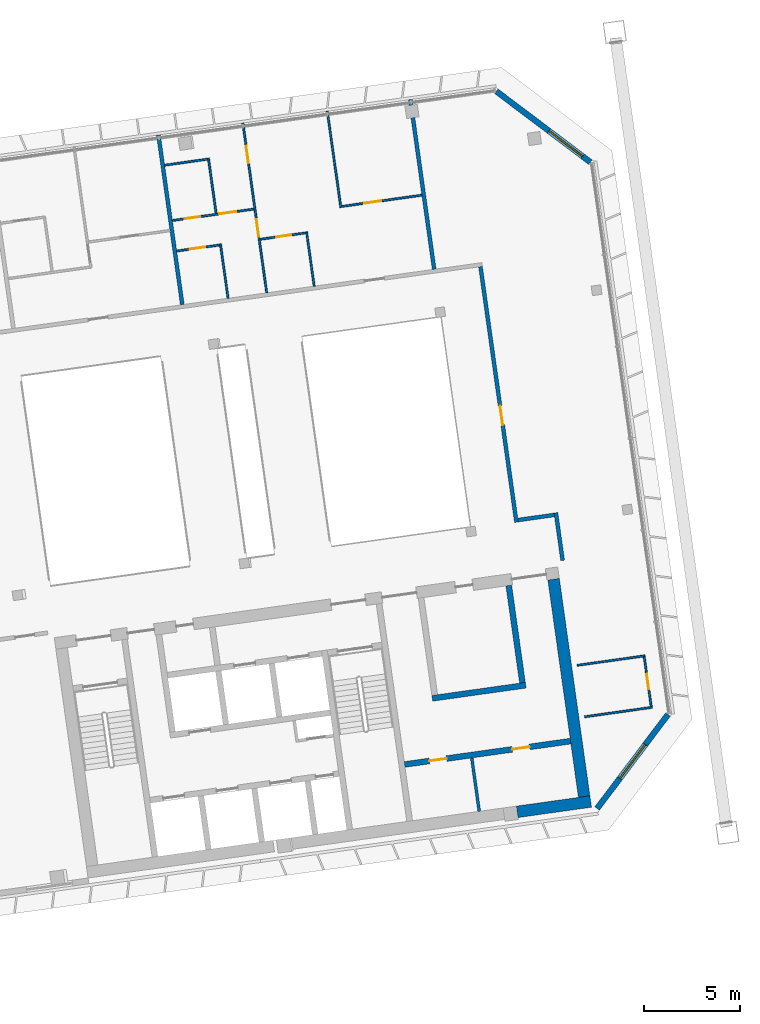
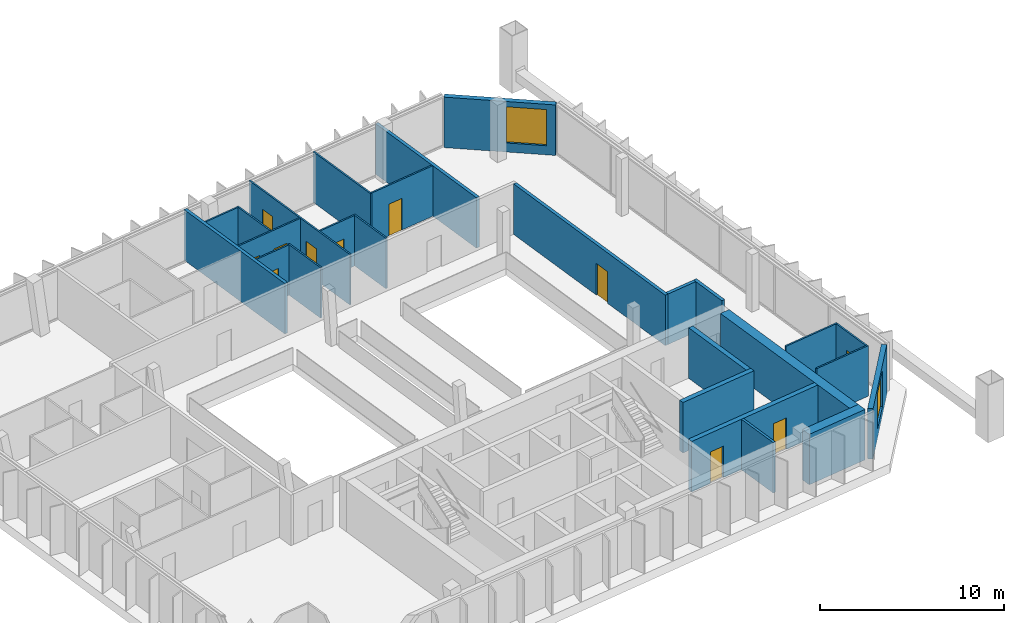
# One storey, part 21 of 26: 26 walls, 11 doors, 2 windows, 13 openings.
"""IFC4 building model written with IfcOpenShell, lengths in metres."""

from ifc_helpers import new_model, si_unit, direction, frame, frame_2d, origin, place, context, subcontext, project, spatial, rectangle, extrude, material, layer, layer_set, type_object, element, fill, save


model = new_model("IFC4")

# Units and contexts
model_context = context("Model", 3, precision=1e-05, world=origin(), true_north=direction((0.0, 1.0)))
body_context = subcontext(model_context, "Body", "Model", "MODEL_VIEW")
ifc_project = project(units=[si_unit("LENGTHUNIT", "METRE"), si_unit("AREAUNIT", "SQUARE_METRE"), si_unit("VOLUMEUNIT", "CUBIC_METRE"), si_unit("PLANEANGLEUNIT", "RADIAN"), si_unit("MASSUNIT", "GRAM", prefix="KILO")], contexts=[model_context])

# Site, building, storey
site_placement = place(None, origin())
site = spatial("IfcSite", under=ifc_project, at=site_placement, CompositionType="ELEMENT")
building_placement = place(site_placement, origin())
building = spatial("IfcBuilding", under=site, at=building_placement, Name="Mirante Cascada Hotel Towers", CompositionType="ELEMENT")
storey_placement = place(building_placement, frame((0.0, 0.0, 235.6)))
storey = spatial("IfcBuildingStorey", under=building, at=storey_placement, Name="L56", CompositionType="ELEMENT", Elevation=235.6)

# Walls
ifc_material_1 = material(Name="Fire-rated plasterboard on metal studs")
ifc_layer_1 = layer(ifc_material_1, 0.2)
ifc_layer_set_1 = layer_set([ifc_layer_1], Name="Compartment wall 200 EI 120")
wall_type_1 = type_object("IfcWallType", Name="Compartment wall 200 EI 120", PredefinedType="PARTITIONING", material=ifc_layer_set_1)
wall_1_placement = place(storey_placement, frame((61.5676, -0.9969, 0.0), z_axis=(0.0, 0.0, 1.0), x_axis=(-0.9902701, -0.1391589, 0.0)))
element("IfcWall", 1, at=wall_1_placement, inside=storey, type_object=wall_type_1, Name="Wall 2-L56-06", PredefinedType="PARTITIONING", context=body_context, shape_type="SweptSolid", body=[
    extrude(rectangle(XDim=1.9, YDim=0.2, at=frame_2d((0.95, 0.0))), origin(), (0.0, 0.0, 1.0), 3.35),
])
for number, where, z_axis, x_axis, name in (
    (2, (41.0122, 18.7344, 0.0), (0.0, 0.0, 1.0), (0.1391684, -0.9902687, 0.0), "Wall 2-L56-36"),
    (3, (54.0929, 20.5728, 0.0), (0.0, 0.0, 1.0), (0.1391794, -0.9902672, 0.0), "Wall 2-L56-42"),
):
    element("IfcWall", number, at=place(storey_placement, frame(where, z_axis=z_axis, x_axis=x_axis)), inside=storey, type_object=wall_type_1, Name=name, PredefinedType="PARTITIONING", context=body_context, shape_type="SweptSolid", body=[
        extrude(rectangle(XDim=8.9, YDim=0.2, at=frame_2d((4.45, 0.0))), origin(), (0.0, 0.0, 1.0), 3.35),
    ])

# Wall, opening, door
wall_2_placement = place(storey_placement, frame((59.601, -1.3742, 0.0), z_axis=(0.0, 0.0, 1.0), x_axis=(-0.1391726, 0.9902681, 0.0)))
wall_2 = element("IfcWall", 4, at=wall_2_placement, inside=storey, type_object=wall_type_1, Name="Wall 2-L56-43", PredefinedType="PARTITIONING", context=body_context, shape_type="SweptSolid", body=[
    extrude(rectangle(XDim=13.3999, YDim=0.2, at=frame_2d((6.7, 0.0))), origin(), (0.0, 0.0, 1.0), 3.35),
])
opening_1_placement = place(wall_2_placement, frame((5.1, 0.0, 0.0)))
opening_1 = element("IfcOpeningElement", 5, at=opening_1_placement, cuts=wall_2, Name="Opening D2-L56-26", PredefinedType="OPENING", context=body_context, shape_type="SweptSolid", body=[
    extrude(rectangle(XDim=1.0, YDim=2.1, at=frame_2d((0.5, 1.05))), frame((0.0, 0.1, 0.0), z_axis=(0.0, -1.0, 0.0), x_axis=(1.0, 0.0, 0.0)), (0.0, 0.0, 1.0), 0.2),
])
ifc_material_2 = material(Name="Fire-rated timber door leaf", Category="wood")
door_type_1 = type_object("IfcDoorType", Name="Entrance door DG1 1000x2100 EI 60", OperationType="SINGLE_SWING_LEFT", PredefinedType="DOOR", material=ifc_material_2)
door_1_placement = place(opening_1_placement, frame((1.0, 0.0, 0.0), z_axis=(0.0, 0.0, 1.0), x_axis=(-1.0, 0.0, 0.0)))
door_1 = element("IfcDoor", 6, at=door_1_placement, inside=storey, type_object=door_type_1, Name="Door D2-L56-26", OperationType="SINGLE_SWING_RIGHT", OverallHeight=2.1, OverallWidth=1.0, PredefinedType="DOOR", context=body_context, shape_type="SweptSolid", body=[
    extrude(rectangle(XDim=1.0, YDim=2.1, at=frame_2d((0.5, 1.05))), frame((0.0, 0.025, 0.0), z_axis=(0.0, -1.0, 0.0), x_axis=(1.0, 0.0, 0.0)), (0.0, 0.0, 1.0), 0.05),
])
fill(opening_1, door_1)

# Walls
wall_3_placement = place(storey_placement, frame((61.6527, -0.8839, 0.0), z_axis=(0.0, 0.0, 1.0), x_axis=(0.1391586, -0.9902701, 0.0)))
element("IfcWall", 7, at=wall_3_placement, inside=storey, type_object=wall_type_1, Name="Wall 2-L56-44", PredefinedType="PARTITIONING", context=body_context, shape_type="SweptSolid", body=[
    extrude(rectangle(XDim=2.5, YDim=0.2, at=frame_2d((1.25, 0.0))), origin(), (0.0, 0.0, 1.0), 3.35),
])
ifc_material_3 = material(Name="Masonry block", Category="masonry")
ifc_layer_2 = layer(ifc_material_3, 0.15)
ifc_layer_set_2 = layer_set([ifc_layer_2], Name="Core room partition 150 block EI 30")
wall_type_2 = type_object("IfcWallType", Name="Core room partition 150 block EI 30", PredefinedType="PARTITIONING", material=ifc_layer_set_2)
wall_4_placement = place(storey_placement, frame((57.6718, -16.3889, 0.0), z_axis=(0.0, 0.0, 1.0), x_axis=(-0.139141, 0.9902726, 0.0)))
element("IfcWall", 8, at=wall_4_placement, inside=storey, type_object=wall_type_2, Name="Core wall partition T2 L56 5", PredefinedType="PARTITIONING", context=body_context, shape_type="SweptSolid", body=[
    extrude(rectangle(XDim=2.8, YDim=0.15, at=frame_2d((1.4, 0.0))), origin(), (0.0, 0.0, 1.0), 3.35),
])

# Wall, openings, doors
ifc_material_4 = material(Name="Masonry block", Category="masonry")
ifc_layer_3 = layer(ifc_material_4, 0.3)
ifc_layer_set_3 = layer_set([ifc_layer_3], Name="Core wall 300 block EI 120")
wall_type_3 = type_object("IfcWallType", Name="Core wall 300 block EI 120", PredefinedType="PARTITIONING", material=ifc_layer_set_3)
wall_5_placement = place(storey_placement, frame((53.7953, -13.9547, 0.0), z_axis=(0.0, 0.0, 1.0), x_axis=(0.9902683, 0.1391714, 0.0)))
wall_5 = element("IfcWall", 9, at=wall_5_placement, inside=storey, type_object=wall_type_3, Name="Core wall partition T2 L56 4", PredefinedType="PARTITIONING", context=body_context, shape_type="SweptSolid", body=[
    extrude(rectangle(XDim=8.7001, YDim=0.3, at=frame_2d((4.3501, 0.0))), origin(), (0.0, 0.0, 1.0), 3.35),
])
opening_2_placement = place(wall_5_placement, frame((1.3, 0.0, 0.0)))
opening_2 = element("IfcOpeningElement", 10, at=opening_2_placement, cuts=wall_5, Name="Opening D2-56-C17", PredefinedType="OPENING", context=body_context, shape_type="SweptSolid", body=[
    extrude(rectangle(XDim=0.9, YDim=2.1, at=frame_2d((0.45, 1.05))), frame((0.0, 0.15, 0.0), z_axis=(0.0, -1.0, 0.0), x_axis=(1.0, 0.0, 0.0)), (0.0, 0.0, 1.0), 0.3),
])
opening_3_placement = place(wall_5_placement, frame((5.65, 0.0, 0.0)))
opening_3 = element("IfcOpeningElement", 11, at=opening_3_placement, cuts=wall_5, Name="Opening D2-56-C18", PredefinedType="OPENING", context=body_context, shape_type="SweptSolid", body=[
    extrude(rectangle(XDim=0.9, YDim=2.1, at=frame_2d((0.45, 1.05))), frame((0.0, 0.15, 0.0), z_axis=(0.0, -1.0, 0.0), x_axis=(1.0, 0.0, 0.0)), (0.0, 0.0, 1.0), 0.3),
])
ifc_material_5 = material(Name="Hollow metal fire door leaf")
door_type_2 = type_object("IfcDoorType", Name="Fire door 900x2100 FD60", OperationType="NOTDEFINED", PredefinedType="DOOR", material=ifc_material_5)
door_2_placement = place(opening_2_placement, frame((0.9, 0.0, 0.0), z_axis=(0.0, 0.0, 1.0), x_axis=(-1.0, 0.0, 0.0)))
door_2 = element("IfcDoor", 12, at=door_2_placement, inside=storey, type_object=door_type_2, Name="Room door T2 L56 17", OperationType="SINGLE_SWING_LEFT", OverallHeight=2.1, OverallWidth=0.9, PredefinedType="DOOR", context=body_context, shape_type="SweptSolid", body=[
    extrude(rectangle(XDim=0.9, YDim=2.1, at=frame_2d((0.45, 1.05))), frame((0.0, 0.025, 0.0), z_axis=(0.0, -1.0, 0.0), x_axis=(1.0, 0.0, 0.0)), (0.0, 0.0, 1.0), 0.05),
])
fill(opening_2, door_2)
door_3_placement = place(opening_3_placement, frame((0.9, 0.0, 0.0), z_axis=(0.0, 0.0, 1.0), x_axis=(-1.0, 0.0, 0.0)))
door_3 = element("IfcDoor", 13, at=door_3_placement, inside=storey, type_object=door_type_2, Name="Room door T2 L56 18", OperationType="SINGLE_SWING_RIGHT", OverallHeight=2.1, OverallWidth=0.9, PredefinedType="DOOR", context=body_context, shape_type="SweptSolid", body=[
    extrude(rectangle(XDim=0.9, YDim=2.1, at=frame_2d((0.45, 1.05))), frame((0.0, 0.025, 0.0), z_axis=(0.0, -1.0, 0.0), x_axis=(1.0, 0.0, 0.0)), (0.0, 0.0, 1.0), 0.05),
])
fill(opening_3, door_3)

# Walls
ifc_material_6 = material(Name="Plasterboard on metal studs")
ifc_layer_4 = layer(ifc_material_6, 0.1)
ifc_layer_set_4 = layer_set([ifc_layer_4], Name="Partition 100")
wall_type_4 = type_object("IfcWallType", Name="Partition 100", PredefinedType="PARTITIONING", material=ifc_layer_set_4)
wall_6_placement = place(storey_placement, frame((66.6573, -10.9857, 0.0), z_axis=(0.0, 0.0, 1.0), x_axis=(-0.9902664, -0.1391849, 0.0)))
element("IfcWall", 14, at=wall_6_placement, inside=storey, type_object=wall_type_4, Name="Wall 2-L56-02", PredefinedType="PARTITIONING", context=body_context, shape_type="SweptSolid", body=[
    extrude(rectangle(XDim=3.55, YDim=0.1, at=frame_2d((1.775, 0.0))), origin(), (0.0, 0.0, 1.0), 3.35),
])
wall_7_placement = place(storey_placement, frame((62.7661, -8.8061, 0.0), z_axis=(0.0, 0.0, 1.0), x_axis=(0.990267, 0.139181, 0.0)))
element("IfcWall", 15, at=wall_7_placement, inside=storey, type_object=wall_type_4, Name="Wall 2-L56-03", PredefinedType="PARTITIONING", context=body_context, shape_type="SweptSolid", body=[
    extrude(rectangle(XDim=3.5501, YDim=0.1, at=frame_2d((1.775, 0.0))), origin(), (0.0, 0.0, 1.0), 3.35),
])

# Wall, opening, door
wall_8_placement = place(storey_placement, frame((44.1883, 13.0208, 0.0), z_axis=(0.0, 0.0, 1.0), x_axis=(-0.9902705, -0.1391561, 0.0)))
wall_8 = element("IfcWall", 16, at=wall_8_placement, inside=storey, type_object=wall_type_4, Name="Wall 2-L56-16", PredefinedType="PARTITIONING", context=body_context, shape_type="SweptSolid", body=[
    extrude(rectangle(XDim=2.25, YDim=0.1, at=frame_2d((1.125, 0.0))), origin(), (0.0, 0.0, 1.0), 3.35),
])
opening_4_placement = place(wall_8_placement, frame((0.75, 0.0, 0.0)))
opening_4 = element("IfcOpeningElement", 17, at=opening_4_placement, cuts=wall_8, Name="Opening D2-L56-09", PredefinedType="OPENING", context=body_context, shape_type="SweptSolid", body=[
    extrude(rectangle(XDim=0.8, YDim=2.1, at=frame_2d((0.4, 1.05))), frame((0.0, 0.05, 0.0), z_axis=(0.0, -1.0, 0.0), x_axis=(1.0, 0.0, 0.0)), (0.0, 0.0, 1.0), 0.1),
])
ifc_material_7 = material(Name="Timber door leaf", Category="wood")
door_type_3 = type_object("IfcDoorType", Name="Bathroom door DG4 800x2100", OperationType="SINGLE_SWING_LEFT", PredefinedType="DOOR", material=ifc_material_7)
door_4_placement = place(opening_4_placement, origin())
door_4 = element("IfcDoor", 18, at=door_4_placement, inside=storey, type_object=door_type_3, Name="Door D2-L56-09", OperationType="SINGLE_SWING_LEFT", OverallHeight=2.1, OverallWidth=0.8, PredefinedType="DOOR", context=body_context, shape_type="SweptSolid", body=[
    extrude(rectangle(XDim=0.8, YDim=2.1, at=frame_2d((0.4, 1.05))), frame((0.0, 0.025, 0.0), z_axis=(0.0, -1.0, 0.0), x_axis=(1.0, 0.0, 0.0)), (0.0, 0.0, 1.0), 0.05),
])
fill(opening_4, door_4)

wall_9_placement = place(storey_placement, frame((46.2949, 13.3169, 0.0), z_axis=(0.0, 0.0, 1.0), x_axis=(0.9902693, 0.1391644, 0.0)))
wall_9 = element("IfcWall", 19, at=wall_9_placement, inside=storey, type_object=wall_type_4, Name="Wall 2-L56-17", PredefinedType="PARTITIONING", context=body_context, shape_type="SweptSolid", body=[
    extrude(rectangle(XDim=2.3885, YDim=0.1, at=frame_2d((1.1942, 0.0))), origin(), (0.0, 0.0, 1.0), 3.35),
])
opening_5_placement = place(wall_9_placement, frame((0.8386, 0.0, 0.0)))
opening_5 = element("IfcOpeningElement", 20, at=opening_5_placement, cuts=wall_9, Name="Opening D2-L56-10", PredefinedType="OPENING", context=body_context, shape_type="SweptSolid", body=[
    extrude(rectangle(XDim=0.8, YDim=2.1, at=frame_2d((0.4, 1.05))), frame((0.0, 0.05, 0.0), z_axis=(0.0, -1.0, 0.0), x_axis=(1.0, 0.0, 0.0)), (0.0, 0.0, 1.0), 0.1),
])
door_5_placement = place(opening_5_placement, origin())
door_5 = element("IfcDoor", 21, at=door_5_placement, inside=storey, type_object=door_type_3, Name="Door D2-L56-10", OperationType="SINGLE_SWING_LEFT", OverallHeight=2.1, OverallWidth=0.8, PredefinedType="DOOR", context=body_context, shape_type="SweptSolid", body=[
    extrude(rectangle(XDim=0.8, YDim=2.1, at=frame_2d((0.4, 1.05))), frame((0.0, 0.025, 0.0), z_axis=(0.0, -1.0, 0.0), x_axis=(1.0, 0.0, 0.0)), (0.0, 0.0, 1.0), 0.05),
])
fill(opening_5, door_5)

wall_10_placement = place(storey_placement, frame((50.5261, 15.0223, 0.0), z_axis=(0.0, 0.0, 1.0), x_axis=(0.9902671, 0.1391801, 0.0)))
wall_10 = element("IfcWall", 22, at=wall_10_placement, inside=storey, type_object=wall_type_4, Name="Wall 2-L56-19", PredefinedType="PARTITIONING", context=body_context, shape_type="SweptSolid", body=[
    extrude(rectangle(XDim=4.2046, YDim=0.1, at=frame_2d((2.1023, 0.0))), origin(), (0.0, 0.0, 1.0), 3.35),
])
opening_6_placement = place(wall_10_placement, frame((1.1773, 0.0, 0.0)))
opening_6 = element("IfcOpeningElement", 23, at=opening_6_placement, cuts=wall_10, Name="Opening D2-L56-12", PredefinedType="OPENING", context=body_context, shape_type="SweptSolid", body=[
    extrude(rectangle(XDim=0.9, YDim=2.1, at=frame_2d((0.45, 1.05))), frame((0.0, 0.05, 0.0), z_axis=(0.0, -1.0, 0.0), x_axis=(1.0, 0.0, 0.0)), (0.0, 0.0, 1.0), 0.1),
])
ifc_material_8 = material(Name="Timber door leaf", Category="wood")
door_type_4 = type_object("IfcDoorType", Name="Room door DG3 900x2100", OperationType="SINGLE_SWING_LEFT", PredefinedType="DOOR", material=ifc_material_8)
door_6_placement = place(opening_6_placement, origin())
door_6 = element("IfcDoor", 24, at=door_6_placement, inside=storey, type_object=door_type_4, Name="Door D2-L56-12", OperationType="SINGLE_SWING_LEFT", OverallHeight=2.1, OverallWidth=0.9, PredefinedType="DOOR", context=body_context, shape_type="SweptSolid", body=[
    extrude(rectangle(XDim=0.9, YDim=2.1, at=frame_2d((0.45, 1.05))), frame((0.0, 0.025, 0.0), z_axis=(0.0, -1.0, 0.0), x_axis=(1.0, 0.0, 0.0)), (0.0, 0.0, 1.0), 0.05),
])
fill(opening_6, door_6)

# Wall, openings, doors
wall_11_placement = place(storey_placement, frame((41.7375, 14.2921, 0.0), z_axis=(0.0, 0.0, 1.0), x_axis=(0.9902677, 0.1391757, 0.0)))
wall_11 = element("IfcWall", 25, at=wall_11_placement, inside=storey, type_object=wall_type_4, Name="Wall 2-L56-21", PredefinedType="PARTITIONING", context=body_context, shape_type="SweptSolid", body=[
    extrude(rectangle(XDim=4.2773, YDim=0.1, at=frame_2d((2.1386, 0.0))), origin(), (0.0, 0.0, 1.0), 3.35),
])
opening_7_placement = place(wall_11_placement, frame((0.65, 0.0, 0.0)))
opening_7 = element("IfcOpeningElement", 26, at=opening_7_placement, cuts=wall_11, Name="Opening D2-L56-13", PredefinedType="OPENING", context=body_context, shape_type="SweptSolid", body=[
    extrude(rectangle(XDim=0.8, YDim=2.1, at=frame_2d((0.4, 1.05))), frame((0.0, 0.05, 0.0), z_axis=(0.0, -1.0, 0.0), x_axis=(1.0, 0.0, 0.0)), (0.0, 0.0, 1.0), 0.1),
])
opening_8_placement = place(wall_11_placement, frame((2.45, 0.0, 0.0)))
opening_8 = element("IfcOpeningElement", 27, at=opening_8_placement, cuts=wall_11, Name="Opening D2-L56-14", PredefinedType="OPENING", context=body_context, shape_type="SweptSolid", body=[
    extrude(rectangle(XDim=0.9, YDim=2.1, at=frame_2d((0.45, 1.05))), frame((0.0, 0.05, 0.0), z_axis=(0.0, -1.0, 0.0), x_axis=(1.0, 0.0, 0.0)), (0.0, 0.0, 1.0), 0.1),
])
door_7_placement = place(opening_7_placement, frame((0.8, 0.0, 0.0), z_axis=(0.0, 0.0, 1.0), x_axis=(-1.0, 0.0, 0.0)))
door_7 = element("IfcDoor", 28, at=door_7_placement, inside=storey, type_object=door_type_3, Name="Door D2-L56-13", OperationType="SINGLE_SWING_RIGHT", OverallHeight=2.1, OverallWidth=0.8, PredefinedType="DOOR", context=body_context, shape_type="SweptSolid", body=[
    extrude(rectangle(XDim=0.8, YDim=2.1, at=frame_2d((0.4, 1.05))), frame((0.0, 0.025, 0.0), z_axis=(0.0, -1.0, 0.0), x_axis=(1.0, 0.0, 0.0)), (0.0, 0.0, 1.0), 0.05),
])
fill(opening_7, door_7)
door_8_placement = place(opening_8_placement, origin())
door_8 = element("IfcDoor", 29, at=door_8_placement, inside=storey, type_object=door_type_4, Name="Door D2-L56-14", OperationType="SINGLE_SWING_LEFT", OverallHeight=2.1, OverallWidth=0.9, PredefinedType="DOOR", context=body_context, shape_type="SweptSolid", body=[
    extrude(rectangle(XDim=0.9, YDim=2.1, at=frame_2d((0.45, 1.05))), frame((0.0, 0.025, 0.0), z_axis=(0.0, -1.0, 0.0), x_axis=(1.0, 0.0, 0.0)), (0.0, 0.0, 1.0), 0.05),
])
fill(opening_8, door_8)

# Walls
wall_12_placement = place(storey_placement, frame((41.3339, 17.1639, 0.0), z_axis=(0.0, 0.0, 1.0), x_axis=(0.9902705, 0.1391561, 0.0)))
element("IfcWall", 30, at=wall_12_placement, inside=storey, type_object=wall_type_4, Name="Wall 2-L56-23", PredefinedType="PARTITIONING", context=body_context, shape_type="SweptSolid", body=[
    extrude(rectangle(XDim=2.25, YDim=0.1, at=frame_2d((1.125, 0.0))), origin(), (0.0, 0.0, 1.0), 3.35),
])
wall_13_placement = place(storey_placement, frame((44.6275, 10.255, 0.0), z_axis=(0.0, 0.0, 1.0), x_axis=(-0.1391909, 0.9902656, 0.0)))
element("IfcWall", 31, at=wall_13_placement, inside=storey, type_object=wall_type_4, Name="Wall 2-L56-37", PredefinedType="PARTITIONING", context=body_context, shape_type="SweptSolid", body=[
    extrude(rectangle(XDim=2.85, YDim=0.1, at=frame_2d((1.425, 0.0))), origin(), (0.0, 0.0, 1.0), 3.35),
])
wall_14_placement = place(storey_placement, frame((43.6046, 17.5335, 0.0), z_axis=(0.0, 0.0, 1.0), x_axis=(0.1391714, -0.9902683, 0.0)))
element("IfcWall", 32, at=wall_14_placement, inside=storey, type_object=wall_type_4, Name="Wall 2-L56-38", PredefinedType="PARTITIONING", context=body_context, shape_type="SweptSolid", body=[
    extrude(rectangle(XDim=2.9, YDim=0.1, at=frame_2d((1.45, 0.0))), origin(), (0.0, 0.0, 1.0), 3.35),
])

# Wall, openings, doors
wall_15_placement = place(storey_placement, frame((46.6351, 10.5372, 0.0), z_axis=(0.0, 0.0, 1.0), x_axis=(-0.139181, 0.990267, 0.0)))
wall_15 = element("IfcWall", 33, at=wall_15_placement, inside=storey, type_object=wall_type_4, Name="Wall 2-L56-39", PredefinedType="PARTITIONING", context=body_context, shape_type="SweptSolid", body=[
    extrude(rectangle(XDim=8.8999, YDim=0.1, at=frame_2d((4.45, 0.0))), origin(), (0.0, 0.0, 1.0), 3.35),
])
opening_9_placement = place(wall_15_placement, frame((2.95, 0.0, 0.0)))
opening_9 = element("IfcOpeningElement", 34, at=opening_9_placement, cuts=wall_15, Name="Opening D2-L56-24", PredefinedType="OPENING", context=body_context, shape_type="SweptSolid", body=[
    extrude(rectangle(XDim=0.9, YDim=2.1, at=frame_2d((0.45, 1.05))), frame((0.0, 0.05, 0.0), z_axis=(0.0, -1.0, 0.0), x_axis=(1.0, 0.0, 0.0)), (0.0, 0.0, 1.0), 0.1),
])
opening_10_placement = place(wall_15_placement, frame((6.8, 0.0, 0.0)))
opening_10 = element("IfcOpeningElement", 35, at=opening_10_placement, cuts=wall_15, Name="Opening D2-L56-25", PredefinedType="OPENING", context=body_context, shape_type="SweptSolid", body=[
    extrude(rectangle(XDim=0.9, YDim=2.1, at=frame_2d((0.45, 1.05))), frame((0.0, 0.05, 0.0), z_axis=(0.0, -1.0, 0.0), x_axis=(1.0, 0.0, 0.0)), (0.0, 0.0, 1.0), 0.1),
])
door_9_placement = place(opening_9_placement, frame((0.9, 0.0, 0.0), z_axis=(0.0, 0.0, 1.0), x_axis=(-1.0, 0.0, 0.0)))
door_9 = element("IfcDoor", 36, at=door_9_placement, inside=storey, type_object=door_type_4, Name="Door D2-L56-24", OperationType="SINGLE_SWING_RIGHT", OverallHeight=2.1, OverallWidth=0.9, PredefinedType="DOOR", context=body_context, shape_type="SweptSolid", body=[
    extrude(rectangle(XDim=0.9, YDim=2.1, at=frame_2d((0.45, 1.05))), frame((0.0, 0.025, 0.0), z_axis=(0.0, -1.0, 0.0), x_axis=(1.0, 0.0, 0.0)), (0.0, 0.0, 1.0), 0.05),
])
fill(opening_9, door_9)
door_10_placement = place(opening_10_placement, frame((0.9, 0.0, 0.0), z_axis=(0.0, 0.0, 1.0), x_axis=(-1.0, 0.0, 0.0)))
door_10 = element("IfcDoor", 37, at=door_10_placement, inside=storey, type_object=door_type_4, Name="Door D2-L56-25", OperationType="SINGLE_SWING_RIGHT", OverallHeight=2.1, OverallWidth=0.9, PredefinedType="DOOR", context=body_context, shape_type="SweptSolid", body=[
    extrude(rectangle(XDim=0.9, YDim=2.1, at=frame_2d((0.45, 1.05))), frame((0.0, 0.025, 0.0), z_axis=(0.0, -1.0, 0.0), x_axis=(1.0, 0.0, 0.0)), (0.0, 0.0, 1.0), 0.05),
])
fill(opening_10, door_10)

# Walls
wall_16_placement = place(storey_placement, frame((48.7028, 13.7058, 0.0), z_axis=(0.0, 0.0, 1.0), x_axis=(0.1391564, -0.9902704, 0.0)))
element("IfcWall", 38, at=wall_16_placement, inside=storey, type_object=wall_type_4, Name="Wall 2-L56-40", PredefinedType="PARTITIONING", context=body_context, shape_type="SweptSolid", body=[
    extrude(rectangle(XDim=2.85, YDim=0.1, at=frame_2d((1.425, 0.0))), origin(), (0.0, 0.0, 1.0), 3.35),
])
wall_17_placement = place(storey_placement, frame((50.4836, 14.9659, 0.0), z_axis=(0.0, 0.0, 1.0), x_axis=(-0.1391893, 0.9902658, 0.0)))
element("IfcWall", 39, at=wall_17_placement, inside=storey, type_object=wall_type_4, Name="Wall 2-L56-41", PredefinedType="PARTITIONING", context=body_context, shape_type="SweptSolid", body=[
    extrude(rectangle(XDim=5.05, YDim=0.1, at=frame_2d((2.525, 0.0))), origin(), (0.0, 0.0, 1.0), 3.35),
])

# Wall, opening, door
wall_18_placement = place(storey_placement, frame((66.6008, -10.9432, 0.0), z_axis=(0.0, 0.0, 1.0), x_axis=(-0.1391541, 0.9902707, 0.0)))
wall_18 = element("IfcWall", 40, at=wall_18_placement, inside=storey, type_object=wall_type_4, Name="Wall 2-L56-45", PredefinedType="PARTITIONING", context=body_context, shape_type="SweptSolid", body=[
    extrude(rectangle(XDim=2.6, YDim=0.1, at=frame_2d((1.3, 0.0))), origin(), (0.0, 0.0, 1.0), 3.35),
])
opening_11_placement = place(wall_18_placement, frame((0.9, 0.0, 0.0)))
opening_11 = element("IfcOpeningElement", 41, at=opening_11_placement, cuts=wall_18, Name="Opening D2-L56-27", PredefinedType="OPENING", context=body_context, shape_type="SweptSolid", body=[
    extrude(rectangle(XDim=0.8, YDim=2.1, at=frame_2d((0.4, 1.05))), frame((0.0, 0.05, 0.0), z_axis=(0.0, -1.0, 0.0), x_axis=(1.0, 0.0, 0.0)), (0.0, 0.0, 1.0), 0.1),
])
door_11_placement = place(opening_11_placement, origin())
door_11 = element("IfcDoor", 42, at=door_11_placement, inside=storey, type_object=door_type_3, Name="Door D2-L56-27", OperationType="SINGLE_SWING_LEFT", OverallHeight=2.1, OverallWidth=0.8, PredefinedType="DOOR", context=body_context, shape_type="SweptSolid", body=[
    extrude(rectangle(XDim=0.8, YDim=2.1, at=frame_2d((0.4, 1.05))), frame((0.0, 0.025, 0.0), z_axis=(0.0, -1.0, 0.0), x_axis=(1.0, 0.0, 0.0)), (0.0, 0.0, 1.0), 0.05),
])
fill(opening_11, door_11)

# Wall, opening, window
ifc_material_9 = material(Name="Precast concrete C40/50", Category="concrete")
ifc_layer_5 = layer(ifc_material_9, 0.3)
ifc_layer_set_5 = layer_set([ifc_layer_5], Name="Precast concrete C40/50 cladding wall 300")
wall_type_5 = type_object("IfcWallType", Name="Precast concrete C40/50 cladding wall 300", PredefinedType="STANDARD", material=ifc_layer_set_5)
wall_19_placement = place(storey_placement, frame((63.7926, -16.2417, 0.0), z_axis=(0.0, 0.0, 1.0), x_axis=(0.6018245, 0.7986283, 0.0)))
wall_19 = element("IfcWall", 43, at=wall_19_placement, inside=storey, type_object=wall_type_5, Name="Corner cladding wall T2 L56 rear outer", PredefinedType="STANDARD", context=body_context, shape_type="SweptSolid", body=[
    extrude(rectangle(XDim=6.1157, YDim=0.3, at=frame_2d((3.0578, 0.0))), origin(), (0.0, 0.0, 1.0), 3.35),
])
opening_12_placement = place(wall_19_placement, frame((1.9578, 0.0, 0.6)))
opening_12 = element("IfcOpeningElement", 44, at=opening_12_placement, cuts=wall_19, Name="Opening W2-56-03", PredefinedType="OPENING", context=body_context, shape_type="SweptSolid", body=[
    extrude(rectangle(XDim=2.2, YDim=2.4, at=frame_2d((1.1, 1.2))), frame((0.0, 0.15, 0.0), z_axis=(0.0, -1.0, 0.0), x_axis=(1.0, 0.0, 0.0)), (0.0, 0.0, 1.0), 0.3),
])
ifc_material_10 = material(Name="Aluminium frame with clear double glazing", Category="aluminium")
window_type = type_object("IfcWindowType", Name="Corner suite window 2200x2400", PartitioningType="DOUBLE_PANEL_VERTICAL", PredefinedType="WINDOW", material=ifc_material_10)
window_1_placement = place(opening_12_placement, origin())
window_1 = element("IfcWindow", 45, at=window_1_placement, inside=storey, type_object=window_type, Name="Window W2-56-03", OverallHeight=2.4, OverallWidth=2.2, PartitioningType="SINGLE_PANEL", PredefinedType="WINDOW", context=body_context, shape_type="SweptSolid", body=[
    extrude(rectangle(XDim=2.2, YDim=2.4, at=frame_2d((1.1, 1.2))), frame((0.0, 0.03, 0.0), z_axis=(0.0, -1.0, 0.0), x_axis=(1.0, 0.0, 0.0)), (0.0, 0.0, 1.0), 0.06),
])
fill(opening_12, window_1)

wall_20_placement = place(storey_placement, frame((63.4422, 17.324, 0.0), z_axis=(0.0, 0.0, 1.0), x_axis=(-0.7986362, 0.6018141, 0.0)))
wall_20 = element("IfcWall", 46, at=wall_20_placement, inside=storey, type_object=wall_type_5, Name="Corner cladding wall T2 L56 outer front", PredefinedType="STANDARD", context=body_context, shape_type="SweptSolid", body=[
    extrude(rectangle(XDim=6.1157, YDim=0.3, at=frame_2d((3.0578, 0.0))), origin(), (0.0, 0.0, 1.0), 3.35),
])
opening_13_placement = place(wall_20_placement, frame((0.4975, 0.0, 0.6)))
opening_13 = element("IfcOpeningElement", 47, at=opening_13_placement, cuts=wall_20, Name="Opening W2-56-04", PredefinedType="OPENING", context=body_context, shape_type="SweptSolid", body=[
    extrude(rectangle(XDim=2.2, YDim=2.4, at=frame_2d((1.1, 1.2))), frame((0.0, 0.15, 0.0), z_axis=(0.0, -1.0, 0.0), x_axis=(1.0, 0.0, 0.0)), (0.0, 0.0, 1.0), 0.3),
])
window_2_placement = place(opening_13_placement, origin())
window_2 = element("IfcWindow", 48, at=window_2_placement, inside=storey, type_object=window_type, Name="Window W2-56-04", OverallHeight=2.4, OverallWidth=2.2, PartitioningType="SINGLE_PANEL", PredefinedType="WINDOW", context=body_context, shape_type="SweptSolid", body=[
    extrude(rectangle(XDim=2.2, YDim=2.4, at=frame_2d((1.1, 1.2))), frame((0.0, 0.03, 0.0), z_axis=(0.0, -1.0, 0.0), x_axis=(1.0, 0.0, 0.0)), (0.0, 0.0, 1.0), 0.06),
])
fill(opening_13, window_2)

# Walls
ifc_material_11 = material(Name="Concrete C50/60", Category="concrete")
ifc_layer_6 = layer(ifc_material_11, 0.3)
ifc_layer_set_6 = layer_set([ifc_layer_6], Name="RC core wall 300 C50/60")
wall_type_6 = type_object("IfcWallType", Name="RC core wall 300 C50/60", PredefinedType="SHEAR", material=ifc_layer_set_6)
wall_21_placement = place(storey_placement, frame((55.2315, -10.5214, 0.0), z_axis=(0.0, 0.0, 1.0), x_axis=(0.9902666, 0.1391838, 0.0)))
element("IfcWall", 49, at=wall_21_placement, inside=storey, type_object=wall_type_6, Name="Core wall T2:L56:24", PredefinedType="SHEAR", context=body_context, shape_type="SweptSolid", body=[
    extrude(rectangle(XDim=4.9, YDim=0.3, at=frame_2d((2.45, 0.0))), origin(), (0.0, 0.0, 1.0), 3.35),
])
wall_22_placement = place(storey_placement, frame((59.9144, -9.7118, 0.0), z_axis=(0.0, 0.0, 1.0), x_axis=(-0.1391755, 0.9902677, 0.0)))
element("IfcWall", 50, at=wall_22_placement, inside=storey, type_object=wall_type_6, Name="Core wall T2:L56:26", PredefinedType="SHEAR", context=body_context, shape_type="SweptSolid", body=[
    extrude(rectangle(XDim=5.1, YDim=0.3, at=frame_2d((2.55, 0.0))), origin(), (0.0, 0.0, 1.0), 3.35),
])
ifc_material_12 = material(Name="Concrete C50/60", Category="concrete")
ifc_layer_7 = layer(ifc_material_12, 0.6)
ifc_layer_set_7 = layer_set([ifc_layer_7], Name="RC core wall 600 C50/60")
wall_type_7 = type_object("IfcWallType", Name="RC core wall 600 C50/60", PredefinedType="SHEAR", material=ifc_layer_set_7)
wall_23_placement = place(storey_placement, frame((59.6446, -16.4145, 0.0), z_axis=(0.0, 0.0, 1.0), x_axis=(0.9902685, 0.1391701, 0.0)))
element("IfcWall", 51, at=wall_23_placement, inside=storey, type_object=wall_type_7, Name="Core wall T2:L56:1.3", PredefinedType="SHEAR", context=body_context, shape_type="SweptSolid", body=[
    extrude(rectangle(XDim=3.85, YDim=0.6, at=frame_2d((1.925, 0.0))), origin(), (0.0, 0.0, 1.0), 3.35),
])
wall_24_placement = place(storey_placement, frame((63.1183, -15.6234, 0.0), z_axis=(0.0, 0.0, 1.0), x_axis=(-0.1391749, 0.9902678, 0.0)))
element("IfcWall", 52, at=wall_24_placement, inside=storey, type_object=wall_type_7, Name="Core wall T2:L56:4", PredefinedType="SHEAR", context=body_context, shape_type="SweptSolid", body=[
    extrude(rectangle(XDim=11.4, YDim=0.6, at=frame_2d((5.7, 0.0))), origin(), (0.0, 0.0, 1.0), 3.35),
])

save(model, "model.ifc")
